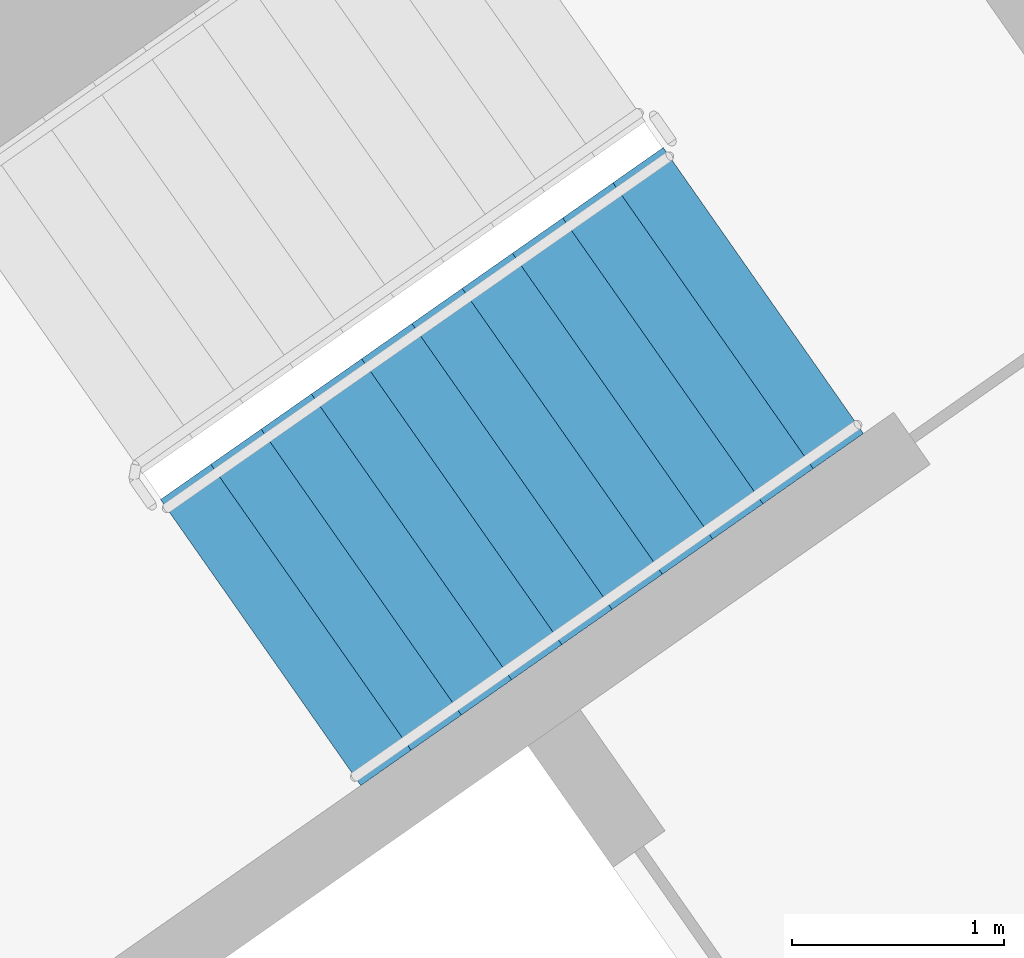
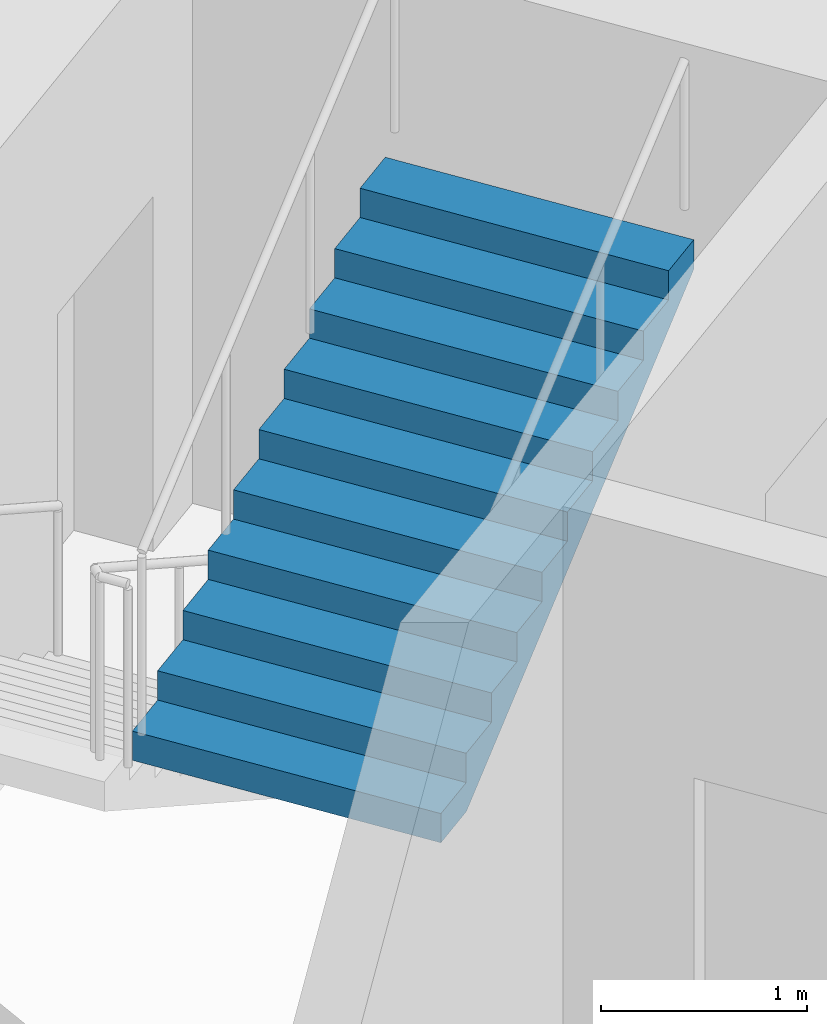
# One storey, part 14 of 30: 1 stair flight, 1 element without a shape of its own.
"""IFC4 building model written with IfcOpenShell, lengths in metres."""

from ifc_helpers import new_model, si_unit, direction, frame, origin, place, context, subcontext, project, spatial, faceted_brep, material, type_object, element, aggregate, save


model = new_model("IFC4")

# Units and contexts
model_context = context("Model", 3, precision=1e-05, world=origin(), true_north=direction((0.0, 1.0)))
body_context = subcontext(model_context, "Body", "Model", "MODEL_VIEW")
ifc_project = project(units=[si_unit("LENGTHUNIT", "METRE"), si_unit("AREAUNIT", "SQUARE_METRE"), si_unit("VOLUMEUNIT", "CUBIC_METRE"), si_unit("PLANEANGLEUNIT", "RADIAN"), si_unit("MASSUNIT", "GRAM", prefix="KILO")], contexts=[model_context])

# Site, building, storey
site_placement = place(None, origin())
site = spatial("IfcSite", under=ifc_project, at=site_placement, CompositionType="ELEMENT")
building_placement = place(site_placement, origin())
building = spatial("IfcBuilding", under=site, at=building_placement, Name="Qamariyya Broadcast Tower", CompositionType="ELEMENT")
storey_placement = place(building_placement, frame((0.0, 0.0, 98.699951171875)))
storey = spatial("IfcBuildingStorey", under=building, at=storey_placement, Name="L21", CompositionType="ELEMENT", Elevation=98.699951171875)

# Stair, stair flight
ifc_material = material(Name="Concrete C50/60", Category="concrete")
stair_type = type_object("IfcStairType", Name="Exit stair 22 risers of 173 mm", PredefinedType="HALF_TURN_STAIR", material=ifc_material)
stair_placement = place(storey_placement, origin())
stair = element("IfcStair", 1, at=stair_placement, inside=storey, type_object=stair_type, Name="L21 Stair E2", PredefinedType="HALF_TURN_STAIR")
stair_flight_type = type_object("IfcStairFlightType", Name="Exit stair flight 11 risers of 173 mm", PredefinedType="STRAIGHT", material=ifc_material)
stair_flight_placement = place(storey_placement, frame((39.215576171875, -50.822998046875, 1.900146484375), z_axis=(0.0, 0.0, 1.0), x_axis=(0.819152044289, 0.573576436351, 0.0)))
stair_flight = element("IfcStairFlight", 2, at=stair_flight_placement, type_object=stair_flight_type, Name="ST-E2 flight 2", NumberOfRisers=11, NumberOfTreads=10, PredefinedType="STRAIGHT", RiserHeight=0.172727273, TreadLength=0.29, context=body_context, shape_type="Brep", body=[
    faceted_brep([(0.0, 0.824951171875, 0.0), (0.0, 0.824951171875, 0.172607421875), (0.2900390625, 0.824951171875, 0.172607421875), (0.2900390625, 0.824951171875, 0.345458984375), (0.580078125, 0.824951171875, 0.345458984375), (0.580078125, 0.824951171875, 0.51806640625), (0.8701171875, 0.824951171875, 0.51806640625), (0.8701171875, 0.824951171875, 0.69091796875), (1.159912109375, 0.824951171875, 0.69091796875), (1.159912109375, 0.824951171875, 0.863525390625), (1.449951171875, 0.824951171875, 0.863525390625), (1.449951171875, 0.824951171875, 1.036376953125), (1.739990234375, 0.824951171875, 1.036376953125), (1.739990234375, 0.824951171875, 1.208984375), (2.030029296875, 0.824951171875, 1.208984375), (2.030029296875, 0.824951171875, 1.3818359375), (2.320068359375, 0.824951171875, 1.3818359375), (2.320068359375, 0.824951171875, 1.554443359375), (2.610107421875, 0.824951171875, 1.554443359375), (2.610107421875, 0.824951171875, 1.727294921875), (2.89990234375, 0.824951171875, 1.727294921875), (2.89990234375, 0.824951171875, 1.552734375), (0.29296875, 0.824951171875, 0.0), (0.29296875, -0.824951171875, 0.0), (2.89990234375, -0.824951171875, 1.552734375), (2.89990234375, -0.824951171875, 1.727294921875), (2.610107421875, -0.824951171875, 1.727294921875), (2.610107421875, -0.824951171875, 1.554443359375), (2.320068359375, -0.824951171875, 1.554443359375), (2.320068359375, -0.824951171875, 1.3818359375), (2.030029296875, -0.824951171875, 1.3818359375), (2.030029296875, -0.824951171875, 1.208984375), (1.739990234375, -0.824951171875, 1.208984375), (1.739990234375, -0.824951171875, 1.036376953125), (1.449951171875, -0.824951171875, 1.036376953125), (1.449951171875, -0.824951171875, 0.863525390625), (1.159912109375, -0.824951171875, 0.863525390625), (1.159912109375, -0.824951171875, 0.69091796875), (0.8701171875, -0.824951171875, 0.69091796875), (0.8701171875, -0.824951171875, 0.51806640625), (0.580078125, -0.824951171875, 0.51806640625), (0.580078125, -0.824951171875, 0.345458984375), (0.2900390625, -0.824951171875, 0.345458984375), (0.2900390625, -0.824951171875, 0.172607421875), (0.0, -0.824951171875, 0.172607421875), (0.0, -0.824951171875, 0.0), (0.0, 0.10009765625, 0.0), (0.0, 0.086669921875, 0.0), (0.0, 0.0732421875, 0.0), (0.0, 0.06005859375, 0.0), (0.0, 0.046630859375, 0.0), (0.0, 0.033447265625, 0.0), (0.0, 0.02001953125, 0.0), (0.0, 0.006591796875, 0.0), (0.0, -0.006591796875, 0.0), (0.0, -0.02001953125, 0.0), (0.0, -0.033447265625, 0.0), (0.0, -0.046630859375, 0.0), (0.0, -0.06005859375, 0.0), (0.0, -0.0732421875, 0.0), (0.0, -0.086669921875, 0.0), (0.0, -0.10009765625, 0.0), (0.0, -0.10009765625, 0.172607421875), (0.0, -0.086669921875, 0.172607421875), (0.0, -0.0732421875, 0.172607421875), (0.0, -0.06005859375, 0.172607421875), (0.0, -0.046630859375, 0.172607421875), (0.0, -0.033447265625, 0.172607421875), (0.0, -0.02001953125, 0.172607421875), (0.0, -0.006591796875, 0.172607421875), (0.0, 0.006591796875, 0.172607421875), (0.0, 0.02001953125, 0.172607421875), (0.0, 0.033447265625, 0.172607421875), (0.0, 0.046630859375, 0.172607421875), (0.0, 0.06005859375, 0.172607421875), (0.0, 0.0732421875, 0.172607421875), (0.0, 0.086669921875, 0.172607421875), (0.0, 0.10009765625, 0.172607421875), (0.2900390625, -0.10009765625, 0.172607421875), (0.2900390625, -0.086669921875, 0.172607421875), (0.2900390625, -0.0732421875, 0.172607421875), (0.2900390625, -0.06005859375, 0.172607421875), (0.2900390625, -0.046630859375, 0.172607421875), (0.2900390625, -0.033447265625, 0.172607421875), (0.2900390625, -0.02001953125, 0.172607421875), (0.2900390625, -0.006591796875, 0.172607421875), (0.2900390625, 0.006591796875, 0.172607421875), (0.2900390625, 0.02001953125, 0.172607421875), (0.2900390625, 0.033447265625, 0.172607421875), (0.2900390625, 0.046630859375, 0.172607421875), (0.2900390625, 0.06005859375, 0.172607421875), (0.2900390625, 0.0732421875, 0.172607421875), (0.2900390625, 0.086669921875, 0.172607421875), (0.2900390625, 0.10009765625, 0.172607421875), (0.2900390625, -0.10009765625, 0.345458984375), (0.2900390625, -0.086669921875, 0.345458984375), (0.2900390625, -0.0732421875, 0.345458984375), (0.2900390625, -0.06005859375, 0.345458984375), (0.2900390625, -0.046630859375, 0.345458984375), (0.2900390625, -0.033447265625, 0.345458984375), (0.2900390625, -0.02001953125, 0.345458984375), (0.2900390625, -0.006591796875, 0.345458984375), (0.2900390625, 0.006591796875, 0.345458984375), (0.2900390625, 0.02001953125, 0.345458984375), (0.2900390625, 0.033447265625, 0.345458984375), (0.2900390625, 0.046630859375, 0.345458984375), (0.2900390625, 0.06005859375, 0.345458984375), (0.2900390625, 0.0732421875, 0.345458984375), (0.2900390625, 0.086669921875, 0.345458984375), (0.2900390625, 0.10009765625, 0.345458984375), (0.580078125, -0.10009765625, 0.345458984375), (0.580078125, -0.086669921875, 0.345458984375), (0.580078125, -0.0732421875, 0.345458984375), (0.580078125, -0.06005859375, 0.345458984375), (0.580078125, -0.046630859375, 0.345458984375), (0.580078125, -0.033447265625, 0.345458984375), (0.580078125, -0.02001953125, 0.345458984375), (0.580078125, -0.006591796875, 0.345458984375), (0.580078125, 0.006591796875, 0.345458984375), (0.580078125, 0.02001953125, 0.345458984375), (0.580078125, 0.033447265625, 0.345458984375), (0.580078125, 0.046630859375, 0.345458984375), (0.580078125, 0.06005859375, 0.345458984375), (0.580078125, 0.0732421875, 0.345458984375), (0.580078125, 0.086669921875, 0.345458984375), (0.580078125, 0.10009765625, 0.345458984375), (0.580078125, -0.10009765625, 0.51806640625), (0.580078125, -0.086669921875, 0.51806640625), (0.580078125, -0.0732421875, 0.51806640625), (0.580078125, -0.06005859375, 0.51806640625), (0.580078125, -0.046630859375, 0.51806640625), (0.580078125, -0.033447265625, 0.51806640625), (0.580078125, -0.02001953125, 0.51806640625), (0.580078125, -0.006591796875, 0.51806640625), (0.580078125, 0.006591796875, 0.51806640625), (0.580078125, 0.02001953125, 0.51806640625), (0.580078125, 0.033447265625, 0.51806640625), (0.580078125, 0.046630859375, 0.51806640625), (0.580078125, 0.06005859375, 0.51806640625), (0.580078125, 0.0732421875, 0.51806640625), (0.580078125, 0.086669921875, 0.51806640625), (0.580078125, 0.10009765625, 0.51806640625), (0.8701171875, -0.10009765625, 0.51806640625), (0.8701171875, -0.086669921875, 0.51806640625), (0.8701171875, -0.0732421875, 0.51806640625), (0.8701171875, -0.06005859375, 0.51806640625), (0.8701171875, -0.046630859375, 0.51806640625), (0.8701171875, -0.033447265625, 0.51806640625), (0.8701171875, -0.02001953125, 0.51806640625), (0.8701171875, -0.006591796875, 0.51806640625), (0.8701171875, 0.006591796875, 0.51806640625), (0.8701171875, 0.02001953125, 0.51806640625), (0.8701171875, 0.033447265625, 0.51806640625), (0.8701171875, 0.046630859375, 0.51806640625), (0.8701171875, 0.06005859375, 0.51806640625), (0.8701171875, 0.0732421875, 0.51806640625), (0.8701171875, 0.086669921875, 0.51806640625), (0.8701171875, 0.10009765625, 0.51806640625), (0.8701171875, -0.10009765625, 0.69091796875), (0.8701171875, -0.086669921875, 0.69091796875), (0.8701171875, -0.0732421875, 0.69091796875), (0.8701171875, -0.06005859375, 0.69091796875), (0.8701171875, -0.046630859375, 0.69091796875), (0.8701171875, -0.033447265625, 0.69091796875), (0.8701171875, -0.02001953125, 0.69091796875), (0.8701171875, -0.006591796875, 0.69091796875), (0.8701171875, 0.006591796875, 0.69091796875), (0.8701171875, 0.02001953125, 0.69091796875), (0.8701171875, 0.033447265625, 0.69091796875), (0.8701171875, 0.046630859375, 0.69091796875), (0.8701171875, 0.06005859375, 0.69091796875), (0.8701171875, 0.0732421875, 0.69091796875), (0.8701171875, 0.086669921875, 0.69091796875), (0.8701171875, 0.10009765625, 0.69091796875), (1.159912109375, -0.10009765625, 0.69091796875), (1.159912109375, -0.086669921875, 0.69091796875), (1.159912109375, -0.0732421875, 0.69091796875), (1.159912109375, -0.06005859375, 0.69091796875), (1.159912109375, -0.046630859375, 0.69091796875), (1.159912109375, -0.033447265625, 0.69091796875), (1.159912109375, -0.02001953125, 0.69091796875), (1.159912109375, -0.006591796875, 0.69091796875), (1.159912109375, 0.006591796875, 0.69091796875), (1.159912109375, 0.02001953125, 0.69091796875), (1.159912109375, 0.033447265625, 0.69091796875), (1.159912109375, 0.046630859375, 0.69091796875), (1.159912109375, 0.06005859375, 0.69091796875), (1.159912109375, 0.0732421875, 0.69091796875), (1.159912109375, 0.086669921875, 0.69091796875), (1.159912109375, 0.10009765625, 0.69091796875), (1.159912109375, -0.10009765625, 0.863525390625), (1.159912109375, -0.086669921875, 0.863525390625), (1.159912109375, -0.0732421875, 0.863525390625), (1.159912109375, -0.06005859375, 0.863525390625), (1.159912109375, -0.046630859375, 0.863525390625), (1.159912109375, -0.033447265625, 0.863525390625), (1.159912109375, -0.02001953125, 0.863525390625), (1.159912109375, -0.006591796875, 0.863525390625), (1.159912109375, 0.006591796875, 0.863525390625), (1.159912109375, 0.02001953125, 0.863525390625), (1.159912109375, 0.033447265625, 0.863525390625), (1.159912109375, 0.046630859375, 0.863525390625), (1.159912109375, 0.06005859375, 0.863525390625), (1.159912109375, 0.0732421875, 0.863525390625), (1.159912109375, 0.086669921875, 0.863525390625), (1.159912109375, 0.10009765625, 0.863525390625), (1.449951171875, -0.10009765625, 0.863525390625), (1.449951171875, -0.086669921875, 0.863525390625), (1.449951171875, -0.0732421875, 0.863525390625), (1.449951171875, -0.06005859375, 0.863525390625), (1.449951171875, -0.046630859375, 0.863525390625), (1.449951171875, -0.033447265625, 0.863525390625), (1.449951171875, -0.02001953125, 0.863525390625), (1.449951171875, -0.006591796875, 0.863525390625), (1.449951171875, 0.006591796875, 0.863525390625), (1.449951171875, 0.02001953125, 0.863525390625), (1.449951171875, 0.033447265625, 0.863525390625), (1.449951171875, 0.046630859375, 0.863525390625), (1.449951171875, 0.06005859375, 0.863525390625), (1.449951171875, 0.0732421875, 0.863525390625), (1.449951171875, 0.086669921875, 0.863525390625), (1.449951171875, 0.10009765625, 0.863525390625), (1.449951171875, -0.10009765625, 1.036376953125), (1.449951171875, -0.086669921875, 1.036376953125), (1.449951171875, -0.0732421875, 1.036376953125), (1.449951171875, -0.06005859375, 1.036376953125), (1.449951171875, -0.046630859375, 1.036376953125), (1.449951171875, -0.033447265625, 1.036376953125), (1.449951171875, -0.02001953125, 1.036376953125), (1.449951171875, -0.006591796875, 1.036376953125), (1.449951171875, 0.006591796875, 1.036376953125), (1.449951171875, 0.02001953125, 1.036376953125), (1.449951171875, 0.033447265625, 1.036376953125), (1.449951171875, 0.046630859375, 1.036376953125), (1.449951171875, 0.06005859375, 1.036376953125), (1.449951171875, 0.0732421875, 1.036376953125), (1.449951171875, 0.086669921875, 1.036376953125), (1.449951171875, 0.10009765625, 1.036376953125), (1.739990234375, -0.10009765625, 1.036376953125), (1.739990234375, -0.086669921875, 1.036376953125), (1.739990234375, -0.0732421875, 1.036376953125), (1.739990234375, -0.06005859375, 1.036376953125), (1.739990234375, -0.046630859375, 1.036376953125), (1.739990234375, -0.033447265625, 1.036376953125), (1.739990234375, -0.02001953125, 1.036376953125), (1.739990234375, -0.006591796875, 1.036376953125), (1.739990234375, 0.006591796875, 1.036376953125), (1.739990234375, 0.02001953125, 1.036376953125), (1.739990234375, 0.033447265625, 1.036376953125), (1.739990234375, 0.046630859375, 1.036376953125), (1.739990234375, 0.06005859375, 1.036376953125), (1.739990234375, 0.0732421875, 1.036376953125), (1.739990234375, 0.086669921875, 1.036376953125), (1.739990234375, 0.10009765625, 1.036376953125), (1.739990234375, -0.10009765625, 1.208984375), (1.739990234375, -0.086669921875, 1.208984375), (1.739990234375, -0.0732421875, 1.208984375), (1.739990234375, -0.06005859375, 1.208984375), (1.739990234375, -0.046630859375, 1.208984375), (1.739990234375, -0.033447265625, 1.208984375), (1.739990234375, -0.02001953125, 1.208984375), (1.739990234375, -0.006591796875, 1.208984375), (1.739990234375, 0.006591796875, 1.208984375), (1.739990234375, 0.02001953125, 1.208984375), (1.739990234375, 0.033447265625, 1.208984375), (1.739990234375, 0.046630859375, 1.208984375), (1.739990234375, 0.06005859375, 1.208984375), (1.739990234375, 0.0732421875, 1.208984375), (1.739990234375, 0.086669921875, 1.208984375), (1.739990234375, 0.10009765625, 1.208984375), (2.030029296875, -0.10009765625, 1.208984375), (2.030029296875, -0.086669921875, 1.208984375), (2.030029296875, -0.0732421875, 1.208984375), (2.030029296875, -0.06005859375, 1.208984375), (2.030029296875, -0.046630859375, 1.208984375), (2.030029296875, -0.033447265625, 1.208984375), (2.030029296875, -0.02001953125, 1.208984375), (2.030029296875, -0.006591796875, 1.208984375), (2.030029296875, 0.006591796875, 1.208984375), (2.030029296875, 0.02001953125, 1.208984375), (2.030029296875, 0.033447265625, 1.208984375), (2.030029296875, 0.046630859375, 1.208984375), (2.030029296875, 0.06005859375, 1.208984375), (2.030029296875, 0.0732421875, 1.208984375), (2.030029296875, 0.086669921875, 1.208984375), (2.030029296875, 0.10009765625, 1.208984375), (2.030029296875, -0.10009765625, 1.3818359375), (2.030029296875, -0.086669921875, 1.3818359375), (2.030029296875, -0.0732421875, 1.3818359375), (2.030029296875, -0.06005859375, 1.3818359375), (2.030029296875, -0.046630859375, 1.3818359375), (2.030029296875, -0.033447265625, 1.3818359375), (2.030029296875, -0.02001953125, 1.3818359375), (2.030029296875, -0.006591796875, 1.3818359375), (2.030029296875, 0.006591796875, 1.3818359375), (2.030029296875, 0.02001953125, 1.3818359375), (2.030029296875, 0.033447265625, 1.3818359375), (2.030029296875, 0.046630859375, 1.3818359375), (2.030029296875, 0.06005859375, 1.3818359375), (2.030029296875, 0.0732421875, 1.3818359375), (2.030029296875, 0.086669921875, 1.3818359375), (2.030029296875, 0.10009765625, 1.3818359375), (2.320068359375, -0.10009765625, 1.3818359375), (2.320068359375, -0.086669921875, 1.3818359375), (2.320068359375, -0.0732421875, 1.3818359375), (2.320068359375, -0.06005859375, 1.3818359375), (2.320068359375, -0.046630859375, 1.3818359375), (2.320068359375, -0.033447265625, 1.3818359375), (2.320068359375, -0.02001953125, 1.3818359375), (2.320068359375, -0.006591796875, 1.3818359375), (2.320068359375, 0.006591796875, 1.3818359375), (2.320068359375, 0.02001953125, 1.3818359375), (2.320068359375, 0.033447265625, 1.3818359375), (2.320068359375, 0.046630859375, 1.3818359375), (2.320068359375, 0.06005859375, 1.3818359375), (2.320068359375, 0.0732421875, 1.3818359375), (2.320068359375, 0.086669921875, 1.3818359375), (2.320068359375, 0.10009765625, 1.3818359375), (2.320068359375, -0.10009765625, 1.554443359375), (2.320068359375, -0.086669921875, 1.554443359375), (2.320068359375, -0.0732421875, 1.554443359375), (2.320068359375, -0.06005859375, 1.554443359375), (2.320068359375, -0.046630859375, 1.554443359375), (2.320068359375, -0.033447265625, 1.554443359375), (2.320068359375, -0.02001953125, 1.554443359375), (2.320068359375, -0.006591796875, 1.554443359375), (2.320068359375, 0.006591796875, 1.554443359375), (2.320068359375, 0.02001953125, 1.554443359375), (2.320068359375, 0.033447265625, 1.554443359375), (2.320068359375, 0.046630859375, 1.554443359375), (2.320068359375, 0.06005859375, 1.554443359375), (2.320068359375, 0.0732421875, 1.554443359375), (2.320068359375, 0.086669921875, 1.554443359375), (2.320068359375, 0.10009765625, 1.554443359375), (2.610107421875, -0.10009765625, 1.554443359375), (2.610107421875, -0.086669921875, 1.554443359375), (2.610107421875, -0.0732421875, 1.554443359375), (2.610107421875, -0.06005859375, 1.554443359375), (2.610107421875, -0.046630859375, 1.554443359375), (2.610107421875, -0.033447265625, 1.554443359375), (2.610107421875, -0.02001953125, 1.554443359375), (2.610107421875, -0.006591796875, 1.554443359375), (2.610107421875, 0.006591796875, 1.554443359375), (2.610107421875, 0.02001953125, 1.554443359375), (2.610107421875, 0.033447265625, 1.554443359375), (2.610107421875, 0.046630859375, 1.554443359375), (2.610107421875, 0.06005859375, 1.554443359375), (2.610107421875, 0.0732421875, 1.554443359375), (2.610107421875, 0.086669921875, 1.554443359375), (2.610107421875, 0.10009765625, 1.554443359375), (2.610107421875, -0.10009765625, 1.727294921875), (2.610107421875, -0.086669921875, 1.727294921875), (2.610107421875, -0.0732421875, 1.727294921875), (2.610107421875, -0.06005859375, 1.727294921875), (2.610107421875, -0.046630859375, 1.727294921875), (2.610107421875, -0.033447265625, 1.727294921875), (2.610107421875, -0.02001953125, 1.727294921875), (2.610107421875, -0.006591796875, 1.727294921875), (2.610107421875, 0.006591796875, 1.727294921875), (2.610107421875, 0.02001953125, 1.727294921875), (2.610107421875, 0.033447265625, 1.727294921875), (2.610107421875, 0.046630859375, 1.727294921875), (2.610107421875, 0.06005859375, 1.727294921875), (2.610107421875, 0.0732421875, 1.727294921875), (2.610107421875, 0.086669921875, 1.727294921875), (2.610107421875, 0.10009765625, 1.727294921875), (2.89990234375, -0.10009765625, 1.727294921875), (2.89990234375, -0.086669921875, 1.727294921875), (2.89990234375, -0.0732421875, 1.727294921875), (2.89990234375, -0.06005859375, 1.727294921875), (2.89990234375, -0.046630859375, 1.727294921875), (2.89990234375, -0.033447265625, 1.727294921875), (2.89990234375, -0.02001953125, 1.727294921875), (2.89990234375, -0.006591796875, 1.727294921875), (2.89990234375, 0.006591796875, 1.727294921875), (2.89990234375, 0.02001953125, 1.727294921875), (2.89990234375, 0.033447265625, 1.727294921875), (2.89990234375, 0.046630859375, 1.727294921875), (2.89990234375, 0.06005859375, 1.727294921875), (2.89990234375, 0.0732421875, 1.727294921875), (2.89990234375, 0.086669921875, 1.727294921875), (2.89990234375, 0.10009765625, 1.727294921875), (2.89990234375, -0.10009765625, 1.552734375), (2.89990234375, -0.086669921875, 1.552734375), (2.89990234375, -0.0732421875, 1.552734375), (2.89990234375, -0.06005859375, 1.552734375), (2.89990234375, -0.046630859375, 1.552734375), (2.89990234375, -0.033447265625, 1.552734375), (2.89990234375, -0.02001953125, 1.552734375), (2.89990234375, -0.006591796875, 1.552734375), (2.89990234375, 0.006591796875, 1.552734375), (2.89990234375, 0.02001953125, 1.552734375), (2.89990234375, 0.033447265625, 1.552734375), (2.89990234375, 0.046630859375, 1.552734375), (2.89990234375, 0.06005859375, 1.552734375), (2.89990234375, 0.0732421875, 1.552734375), (2.89990234375, 0.086669921875, 1.552734375), (2.89990234375, 0.10009765625, 1.552734375), (0.29296875, -0.10009765625, 0.0), (0.29296875, -0.086669921875, 0.0), (0.29296875, -0.0732421875, 0.0), (0.29296875, -0.06005859375, 0.0), (0.29296875, -0.046630859375, 0.0), (0.29296875, -0.033447265625, 0.0), (0.29296875, -0.02001953125, 0.0), (0.29296875, -0.006591796875, 0.0), (0.29296875, 0.006591796875, 0.0), (0.29296875, 0.02001953125, 0.0), (0.29296875, 0.033447265625, 0.0), (0.29296875, 0.046630859375, 0.0), (0.29296875, 0.06005859375, 0.0), (0.29296875, 0.0732421875, 0.0), (0.29296875, 0.086669921875, 0.0), (0.29296875, 0.10009765625, 0.0)], [[[0, 1, 2, 3, 4, 5, 6, 7, 8, 9, 10, 11, 12, 13, 14, 15, 16, 17, 18, 19, 20, 21, 22]], [[23, 24, 25, 26, 27, 28, 29, 30, 31, 32, 33, 34, 35, 36, 37, 38, 39, 40, 41, 42, 43, 44, 45]], [[0, 46, 47, 48, 49, 50, 51, 52, 53, 54, 55, 56, 57, 58, 59, 60, 61, 45, 44, 62, 63, 64, 65, 66, 67, 68, 69, 70, 71, 72, 73, 74, 75, 76, 77, 1]], [[1, 77, 76, 75, 74, 73, 72, 71, 70, 69, 68, 67, 66, 65, 64, 63, 62, 44, 43, 78, 79, 80, 81, 82, 83, 84, 85, 86, 87, 88, 89, 90, 91, 92, 93, 2]], [[2, 93, 92, 91, 90, 89, 88, 87, 86, 85, 84, 83, 82, 81, 80, 79, 78, 43, 42, 94, 95, 96, 97, 98, 99, 100, 101, 102, 103, 104, 105, 106, 107, 108, 109, 3]], [[3, 109, 108, 107, 106, 105, 104, 103, 102, 101, 100, 99, 98, 97, 96, 95, 94, 42, 41, 110, 111, 112, 113, 114, 115, 116, 117, 118, 119, 120, 121, 122, 123, 124, 125, 4]], [[4, 125, 124, 123, 122, 121, 120, 119, 118, 117, 116, 115, 114, 113, 112, 111, 110, 41, 40, 126, 127, 128, 129, 130, 131, 132, 133, 134, 135, 136, 137, 138, 139, 140, 141, 5]], [[5, 141, 140, 139, 138, 137, 136, 135, 134, 133, 132, 131, 130, 129, 128, 127, 126, 40, 39, 142, 143, 144, 145, 146, 147, 148, 149, 150, 151, 152, 153, 154, 155, 156, 157, 6]], [[6, 157, 156, 155, 154, 153, 152, 151, 150, 149, 148, 147, 146, 145, 144, 143, 142, 39, 38, 158, 159, 160, 161, 162, 163, 164, 165, 166, 167, 168, 169, 170, 171, 172, 173, 7]], [[7, 173, 172, 171, 170, 169, 168, 167, 166, 165, 164, 163, 162, 161, 160, 159, 158, 38, 37, 174, 175, 176, 177, 178, 179, 180, 181, 182, 183, 184, 185, 186, 187, 188, 189, 8]], [[8, 189, 188, 187, 186, 185, 184, 183, 182, 181, 180, 179, 178, 177, 176, 175, 174, 37, 36, 190, 191, 192, 193, 194, 195, 196, 197, 198, 199, 200, 201, 202, 203, 204, 205, 9]], [[9, 205, 204, 203, 202, 201, 200, 199, 198, 197, 196, 195, 194, 193, 192, 191, 190, 36, 35, 206, 207, 208, 209, 210, 211, 212, 213, 214, 215, 216, 217, 218, 219, 220, 221, 10]], [[10, 221, 220, 219, 218, 217, 216, 215, 214, 213, 212, 211, 210, 209, 208, 207, 206, 35, 34, 222, 223, 224, 225, 226, 227, 228, 229, 230, 231, 232, 233, 234, 235, 236, 237, 11]], [[11, 237, 236, 235, 234, 233, 232, 231, 230, 229, 228, 227, 226, 225, 224, 223, 222, 34, 33, 238, 239, 240, 241, 242, 243, 244, 245, 246, 247, 248, 249, 250, 251, 252, 253, 12]], [[12, 253, 252, 251, 250, 249, 248, 247, 246, 245, 244, 243, 242, 241, 240, 239, 238, 33, 32, 254, 255, 256, 257, 258, 259, 260, 261, 262, 263, 264, 265, 266, 267, 268, 269, 13]], [[13, 269, 268, 267, 266, 265, 264, 263, 262, 261, 260, 259, 258, 257, 256, 255, 254, 32, 31, 270, 271, 272, 273, 274, 275, 276, 277, 278, 279, 280, 281, 282, 283, 284, 285, 14]], [[14, 285, 284, 283, 282, 281, 280, 279, 278, 277, 276, 275, 274, 273, 272, 271, 270, 31, 30, 286, 287, 288, 289, 290, 291, 292, 293, 294, 295, 296, 297, 298, 299, 300, 301, 15]], [[15, 301, 300, 299, 298, 297, 296, 295, 294, 293, 292, 291, 290, 289, 288, 287, 286, 30, 29, 302, 303, 304, 305, 306, 307, 308, 309, 310, 311, 312, 313, 314, 315, 316, 317, 16]], [[16, 317, 316, 315, 314, 313, 312, 311, 310, 309, 308, 307, 306, 305, 304, 303, 302, 29, 28, 318, 319, 320, 321, 322, 323, 324, 325, 326, 327, 328, 329, 330, 331, 332, 333, 17]], [[17, 333, 332, 331, 330, 329, 328, 327, 326, 325, 324, 323, 322, 321, 320, 319, 318, 28, 27, 334, 335, 336, 337, 338, 339, 340, 341, 342, 343, 344, 345, 346, 347, 348, 349, 18]], [[18, 349, 348, 347, 346, 345, 344, 343, 342, 341, 340, 339, 338, 337, 336, 335, 334, 27, 26, 350, 351, 352, 353, 354, 355, 356, 357, 358, 359, 360, 361, 362, 363, 364, 365, 19]], [[19, 365, 364, 363, 362, 361, 360, 359, 358, 357, 356, 355, 354, 353, 352, 351, 350, 26, 25, 366, 367, 368, 369, 370, 371, 372, 373, 374, 375, 376, 377, 378, 379, 380, 381, 20]], [[20, 381, 380, 379, 378, 377, 376, 375, 374, 373, 372, 371, 370, 369, 368, 367, 366, 25, 24, 382, 383, 384, 385, 386, 387, 388, 389, 390, 391, 392, 393, 394, 395, 396, 397, 21]], [[21, 397, 396, 395, 394, 393, 392, 391, 390, 389, 388, 387, 386, 385, 384, 383, 382, 24, 23, 398, 399, 400, 401, 402, 403, 404, 405, 406, 407, 408, 409, 410, 411, 412, 413, 22]], [[22, 413, 412, 411, 410, 409, 408, 407, 406, 405, 404, 403, 402, 401, 400, 399, 398, 23, 45, 61, 60, 59, 58, 57, 56, 55, 54, 53, 52, 51, 50, 49, 48, 47, 46, 0]]]),
])
aggregate(stair, [stair_flight])

save(model, "model.ifc")
